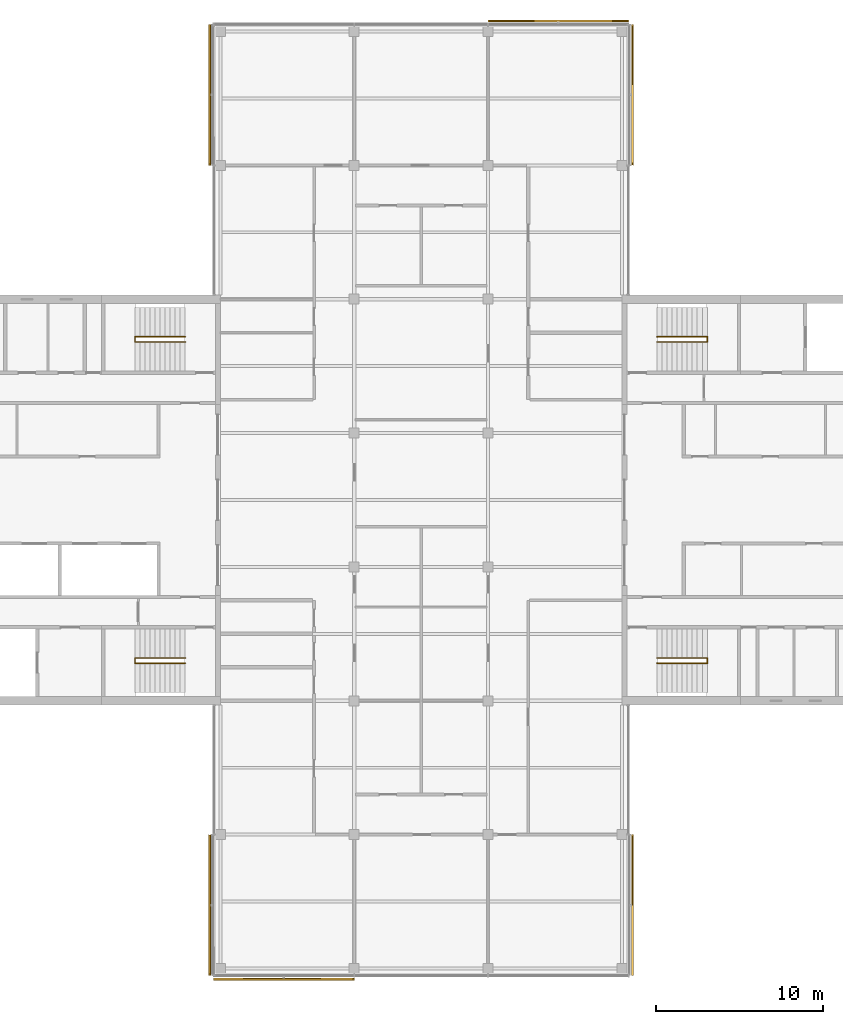
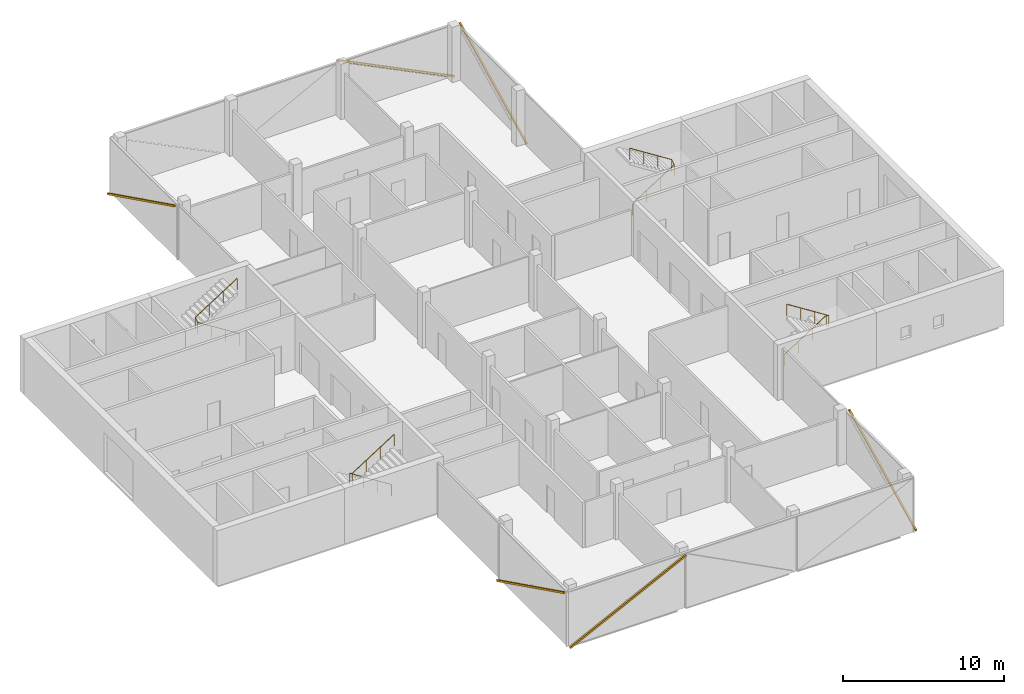
# One storey, part 16 of 16: 6 shading devices, 4 railings, 6 elements without a shape of their own.
"""IFC4 building model written with IfcOpenShell, lengths in metres."""

from ifc_helpers import new_model, si_unit, direction, frame, origin, origin_2d, place, context, subcontext, project, spatial, rectangle, circle, extrude, material, material_profile, profile_set, type_object, element, aggregate, save


model = new_model("IFC4")

# Units and contexts
model_context = context("Model", 3, precision=1e-05, world=origin(), true_north=direction((0.0, 1.0)))
body_context = subcontext(model_context, "Body", "Model", "MODEL_VIEW")
ifc_project = project(units=[si_unit("LENGTHUNIT", "METRE"), si_unit("AREAUNIT", "SQUARE_METRE"), si_unit("VOLUMEUNIT", "CUBIC_METRE"), si_unit("PLANEANGLEUNIT", "RADIAN"), si_unit("MASSUNIT", "GRAM", prefix="KILO")], contexts=[model_context])

# Site, building, storey
site_placement = place(None, origin())
site = spatial("IfcSite", under=ifc_project, at=site_placement, CompositionType="ELEMENT")
building_placement = place(site_placement, origin())
building = spatial("IfcBuilding", under=site, at=building_placement, Name="Crosswind Convention Tower", CompositionType="ELEMENT")
storey_placement = place(building_placement, frame((0.0, 0.0, 340.699951171875)))
storey = spatial("IfcBuildingStorey", under=building, at=storey_placement, Name="L74", CompositionType="ELEMENT", Elevation=340.699951171875)

# Railings
ifc_material_1 = material(Name="Stainless steel", Category="steel")
railing_type = type_object("IfcRailingType", Name="Stair handrail 900", PredefinedType="HANDRAIL", material=ifc_material_1)
railing_1_placement = place(storey_placement, frame((139.10009765625, 109.43994140625, 0.19091796875)))
element("IfcRailing", 1, at=railing_1_placement, inside=storey, type_object=railing_type, Name="Stair ST1 handrail L74", PredefinedType="HANDRAIL", context=body_context, shape_type="SweptSolid", body=[
    extrude(circle(Radius=0.02392578125, at=origin_2d()), frame((0.0, 0.0, 0.8759765625), z_axis=(0.843650179428, 0.0, 0.536893261973), x_axis=(0.0, 1.0, 0.0)), (0.0, 0.0, 1.0), 3.555908203125),
    extrude(circle(Radius=0.02392578125, at=origin_2d()), frame((3.0, 0.0, 2.78515625), z_axis=(0.0, 0.858819504967, 0.512278301208), x_axis=(-1.0, 0.0, 0.0)), (0.0, 0.0, 1.0), 0.372802734375),
    extrude(circle(Radius=0.02392578125, at=origin_2d()), frame((3.0, 0.320068359375, 2.97607421875), z_axis=(-0.843681277094, 0.0, 0.536844393359), x_axis=(0.0, -1.0, 0.0)), (0.0, 0.0, 1.0), 3.555908203125),
    extrude(circle(Radius=0.02099609375, at=origin_2d()), origin(), (0.0, 0.0, 1.0), 0.851806640625),
    extrude(circle(Radius=0.02099609375, at=origin_2d()), frame((1.0, 0.0, 0.636474609375)), (0.0, 0.0, 1.0), 0.851806640625),
    extrude(circle(Radius=0.02099609375, at=origin_2d()), frame((2.0, 0.0, 1.272705078125)), (0.0, 0.0, 1.0), 0.851806640625),
    extrude(circle(Radius=0.02099609375, at=origin_2d()), frame((3.0, 0.0, 1.9091796875)), (0.0, 0.0, 1.0), 0.851806640625),
    extrude(circle(Radius=0.02099609375, at=origin_2d()), frame((3.0, 0.320068359375, 2.10009765625)), (0.0, 0.0, 1.0), 0.851806640625),
    extrude(circle(Radius=0.02099609375, at=origin_2d()), frame((2.0, 0.320068359375, 2.736328125)), (0.0, 0.0, 1.0), 0.851806640625),
    extrude(circle(Radius=0.02099609375, at=origin_2d()), frame((1.0, 0.320068359375, 3.372802734375)), (0.0, 0.0, 1.0), 0.851806640625),
    extrude(circle(Radius=0.02099609375, at=origin_2d()), frame((0.0, 0.320068359375, 4.009033203125)), (0.0, 0.0, 1.0), 0.851806640625),
])
railing_2_placement = place(storey_placement, frame((139.10009765625, 90.56005859375, 0.19091796875)))
element("IfcRailing", 2, at=railing_2_placement, inside=storey, type_object=railing_type, Name="Stair ST2 handrail L74", PredefinedType="HANDRAIL", context=body_context, shape_type="SweptSolid", body=[
    extrude(circle(Radius=0.02392578125, at=origin_2d()), frame((0.0, 0.0, 0.8759765625), z_axis=(0.843650179428, 0.0, 0.536893261973), x_axis=(0.0, 1.0, 0.0)), (0.0, 0.0, 1.0), 3.555908203125),
    extrude(circle(Radius=0.02392578125, at=origin_2d()), frame((3.0, 0.0, 2.78515625), z_axis=(0.0, -0.858819504967, 0.512278301208), x_axis=(1.0, 0.0, 0.0)), (0.0, 0.0, 1.0), 0.372802734375),
    extrude(circle(Radius=0.02392578125, at=origin_2d()), frame((3.0, -0.320068359375, 2.97607421875), z_axis=(-0.843681277094, 0.0, 0.536844393359), x_axis=(0.0, -1.0, 0.0)), (0.0, 0.0, 1.0), 3.555908203125),
    extrude(circle(Radius=0.02099609375, at=origin_2d()), origin(), (0.0, 0.0, 1.0), 0.851806640625),
    extrude(circle(Radius=0.02099609375, at=origin_2d()), frame((1.0, 0.0, 0.636474609375)), (0.0, 0.0, 1.0), 0.851806640625),
    extrude(circle(Radius=0.02099609375, at=origin_2d()), frame((2.0, 0.0, 1.272705078125)), (0.0, 0.0, 1.0), 0.851806640625),
    extrude(circle(Radius=0.02099609375, at=origin_2d()), frame((3.0, 0.0, 1.9091796875)), (0.0, 0.0, 1.0), 0.851806640625),
    extrude(circle(Radius=0.02099609375, at=origin_2d()), frame((3.0, -0.320068359375, 2.10009765625)), (0.0, 0.0, 1.0), 0.851806640625),
    extrude(circle(Radius=0.02099609375, at=origin_2d()), frame((2.0, -0.320068359375, 2.736328125)), (0.0, 0.0, 1.0), 0.851806640625),
    extrude(circle(Radius=0.02099609375, at=origin_2d()), frame((1.0, -0.320068359375, 3.372802734375)), (0.0, 0.0, 1.0), 0.851806640625),
    extrude(circle(Radius=0.02099609375, at=origin_2d()), frame((0.0, -0.320068359375, 4.009033203125)), (0.0, 0.0, 1.0), 0.851806640625),
])
railing_3_placement = place(storey_placement, frame((110.89990234375, 90.56005859375, 0.19091796875)))
element("IfcRailing", 3, at=railing_3_placement, inside=storey, type_object=railing_type, Name="Stair ST3 handrail L74", PredefinedType="HANDRAIL", context=body_context, shape_type="SweptSolid", body=[
    extrude(circle(Radius=0.02392578125, at=origin_2d()), frame((0.0, 0.0, 0.8759765625), z_axis=(-0.843650179428, 0.0, 0.536893261973), x_axis=(0.0, -1.0, 0.0)), (0.0, 0.0, 1.0), 3.555908203125),
    extrude(circle(Radius=0.02392578125, at=origin_2d()), frame((-3.0, 0.0, 2.78515625), z_axis=(0.0, -0.858819504967, 0.512278301208), x_axis=(1.0, 0.0, 0.0)), (0.0, 0.0, 1.0), 0.372802734375),
    extrude(circle(Radius=0.02392578125, at=origin_2d()), frame((-3.0, -0.320068359375, 2.97607421875), z_axis=(0.843681277094, 0.0, 0.536844393359), x_axis=(0.0, 1.0, 0.0)), (0.0, 0.0, 1.0), 3.555908203125),
    extrude(circle(Radius=0.02099609375, at=origin_2d()), origin(), (0.0, 0.0, 1.0), 0.851806640625),
    extrude(circle(Radius=0.02099609375, at=origin_2d()), frame((-1.0, 0.0, 0.636474609375)), (0.0, 0.0, 1.0), 0.851806640625),
    extrude(circle(Radius=0.02099609375, at=origin_2d()), frame((-2.0, 0.0, 1.272705078125)), (0.0, 0.0, 1.0), 0.851806640625),
    extrude(circle(Radius=0.02099609375, at=origin_2d()), frame((-3.0, 0.0, 1.9091796875)), (0.0, 0.0, 1.0), 0.851806640625),
    extrude(circle(Radius=0.02099609375, at=origin_2d()), frame((-3.0, -0.320068359375, 2.10009765625)), (0.0, 0.0, 1.0), 0.851806640625),
    extrude(circle(Radius=0.02099609375, at=origin_2d()), frame((-2.0, -0.320068359375, 2.736328125)), (0.0, 0.0, 1.0), 0.851806640625),
    extrude(circle(Radius=0.02099609375, at=origin_2d()), frame((-1.0, -0.320068359375, 3.372802734375)), (0.0, 0.0, 1.0), 0.851806640625),
    extrude(circle(Radius=0.02099609375, at=origin_2d()), frame((0.0, -0.320068359375, 4.009033203125)), (0.0, 0.0, 1.0), 0.851806640625),
])
railing_4_placement = place(storey_placement, frame((110.89990234375, 109.43994140625, 0.19091796875)))
element("IfcRailing", 4, at=railing_4_placement, inside=storey, type_object=railing_type, Name="Stair ST4 handrail L74", PredefinedType="HANDRAIL", context=body_context, shape_type="SweptSolid", body=[
    extrude(circle(Radius=0.02392578125, at=origin_2d()), frame((0.0, 0.0, 0.8759765625), z_axis=(-0.843650179428, 0.0, 0.536893261973), x_axis=(0.0, -1.0, 0.0)), (0.0, 0.0, 1.0), 3.555908203125),
    extrude(circle(Radius=0.02392578125, at=origin_2d()), frame((-3.0, 0.0, 2.78515625), z_axis=(0.0, 0.858819504967, 0.512278301208), x_axis=(-1.0, 0.0, 0.0)), (0.0, 0.0, 1.0), 0.372802734375),
    extrude(circle(Radius=0.02392578125, at=origin_2d()), frame((-3.0, 0.320068359375, 2.97607421875), z_axis=(0.843681277094, 0.0, 0.536844393359), x_axis=(0.0, 1.0, 0.0)), (0.0, 0.0, 1.0), 3.555908203125),
    extrude(circle(Radius=0.02099609375, at=origin_2d()), origin(), (0.0, 0.0, 1.0), 0.851806640625),
    extrude(circle(Radius=0.02099609375, at=origin_2d()), frame((-1.0, 0.0, 0.636474609375)), (0.0, 0.0, 1.0), 0.851806640625),
    extrude(circle(Radius=0.02099609375, at=origin_2d()), frame((-2.0, 0.0, 1.272705078125)), (0.0, 0.0, 1.0), 0.851806640625),
    extrude(circle(Radius=0.02099609375, at=origin_2d()), frame((-3.0, 0.0, 1.9091796875)), (0.0, 0.0, 1.0), 0.851806640625),
    extrude(circle(Radius=0.02099609375, at=origin_2d()), frame((-3.0, 0.320068359375, 2.10009765625)), (0.0, 0.0, 1.0), 0.851806640625),
    extrude(circle(Radius=0.02099609375, at=origin_2d()), frame((-2.0, 0.320068359375, 2.736328125)), (0.0, 0.0, 1.0), 0.851806640625),
    extrude(circle(Radius=0.02099609375, at=origin_2d()), frame((-1.0, 0.320068359375, 3.372802734375)), (0.0, 0.0, 1.0), 0.851806640625),
    extrude(circle(Radius=0.02099609375, at=origin_2d()), frame((0.0, 0.320068359375, 4.009033203125)), (0.0, 0.0, 1.0), 0.851806640625),
])

# Curtain wall, shading device
ifc_material_2 = material(Name="Aluminium unitised curtain wall", Category="aluminium")
curtain_wall_type = type_object("IfcCurtainWallType", Name="OFFICE UNITISED WALL 220", PredefinedType="USERDEFINED", material=ifc_material_2)
curtain_wall_1_placement = place(storey_placement, origin())
curtain_wall_1 = element("IfcCurtainWall", 5, at=curtain_wall_1_placement, inside=storey, type_object=curtain_wall_type, Name="CW3 L74 N-E 1", ObjectType="UNITISED", PredefinedType="USERDEFINED")
ifc_material_3 = material(Name="Extruded terracotta", Category="masonry")
ifc_material_profile = material_profile(ifc_material_3, rectangle(XDim=0.110107421875, YDim=0.1298828125, at=origin_2d()), Name="TC 110X130")
ifc_profile_set = profile_set([ifc_material_profile], Name="Extruded terracotta")
shading_device_type = type_object("IfcShadingDeviceType", Name="TERRACOTTA BAGUETTE 130X110", PredefinedType="USERDEFINED", material=ifc_profile_set)
shading_device_1_placement = place(storey_placement, frame((137.631103515625, 120.034912109375, -0.300048828125), z_axis=(0.0, 0.896136229865, 0.443779063863), x_axis=(-1.0, 0.0, 0.0)))
shading_device_1 = element("IfcShadingDevice", 6, at=shading_device_1_placement, type_object=shading_device_type, Name="CW3 terracotta baguette 1", ObjectType="BAGUETTE", PredefinedType="USERDEFINED", context=body_context, shape_type="SweptSolid", body=[
    extrude(rectangle(XDim=0.110107421875, YDim=0.1298828125, at=origin_2d()), origin(), (0.0, 0.0, 1.0), 9.306640625),
])
aggregate(curtain_wall_1, [shading_device_1])

curtain_wall_2_placement = place(storey_placement, origin())
curtain_wall_2 = element("IfcCurtainWall", 7, at=curtain_wall_2_placement, inside=storey, type_object=curtain_wall_type, Name="CW3 L74 N-TIP 1", ObjectType="UNITISED", PredefinedType="USERDEFINED")
shading_device_2_placement = place(storey_placement, frame((137.375, 128.631103515625, -0.300048828125), z_axis=(-0.896136229865, 0.0, 0.443779063863), x_axis=(0.0, -1.0, 0.0)))
shading_device_2 = element("IfcShadingDevice", 8, at=shading_device_2_placement, type_object=shading_device_type, Name="CW3 terracotta baguette 1", ObjectType="BAGUETTE", PredefinedType="USERDEFINED", context=body_context, shape_type="SweptSolid", body=[
    extrude(rectangle(XDim=0.110107421875, YDim=0.1298828125, at=origin_2d()), origin(), (0.0, 0.0, 1.0), 9.306640625),
])
aggregate(curtain_wall_2, [shading_device_2])

curtain_wall_3_placement = place(storey_placement, origin())
curtain_wall_3 = element("IfcCurtainWall", 9, at=curtain_wall_3_placement, inside=storey, type_object=curtain_wall_type, Name="CW3 L74 N-W 1", ObjectType="UNITISED", PredefinedType="USERDEFINED")
shading_device_3_placement = place(storey_placement, frame((112.368896484375, 128.375, -0.300048828125), z_axis=(0.0, -0.896136229865, 0.443779063863), x_axis=(1.0, 0.0, 0.0)))
shading_device_3 = element("IfcShadingDevice", 10, at=shading_device_3_placement, type_object=shading_device_type, Name="CW3 terracotta baguette 1", ObjectType="BAGUETTE", PredefinedType="USERDEFINED", context=body_context, shape_type="SweptSolid", body=[
    extrude(rectangle(XDim=0.110107421875, YDim=0.1298828125, at=origin_2d()), origin(), (0.0, 0.0, 1.0), 9.306640625),
])
aggregate(curtain_wall_3, [shading_device_3])

curtain_wall_4_placement = place(storey_placement, origin())
curtain_wall_4 = element("IfcCurtainWall", 11, at=curtain_wall_4_placement, inside=storey, type_object=curtain_wall_type, Name="CW3 L74 S-W 1", ObjectType="UNITISED", PredefinedType="USERDEFINED")
shading_device_4_placement = place(storey_placement, frame((112.368896484375, 79.965087890625, -0.300048828125), z_axis=(0.0, -0.896136229865, 0.443779063863), x_axis=(1.0, 0.0, 0.0)))
shading_device_4 = element("IfcShadingDevice", 12, at=shading_device_4_placement, type_object=shading_device_type, Name="CW3 terracotta baguette 1", ObjectType="BAGUETTE", PredefinedType="USERDEFINED", context=body_context, shape_type="SweptSolid", body=[
    extrude(rectangle(XDim=0.110107421875, YDim=0.1298828125, at=origin_2d()), origin(), (0.0, 0.0, 1.0), 9.306640625),
])
aggregate(curtain_wall_4, [shading_device_4])

curtain_wall_5_placement = place(storey_placement, origin())
curtain_wall_5 = element("IfcCurtainWall", 13, at=curtain_wall_5_placement, inside=storey, type_object=curtain_wall_type, Name="CW3 L74 S-TIP 1", ObjectType="UNITISED", PredefinedType="USERDEFINED")
shading_device_5_placement = place(storey_placement, frame((112.625, 71.368896484375, -0.300048828125), z_axis=(0.896136229865, 0.0, 0.443779063863), x_axis=(0.0, 1.0, 0.0)))
shading_device_5 = element("IfcShadingDevice", 14, at=shading_device_5_placement, type_object=shading_device_type, Name="CW3 terracotta baguette 1", ObjectType="BAGUETTE", PredefinedType="USERDEFINED", context=body_context, shape_type="SweptSolid", body=[
    extrude(rectangle(XDim=0.110107421875, YDim=0.1298828125, at=origin_2d()), origin(), (0.0, 0.0, 1.0), 9.306640625),
])
aggregate(curtain_wall_5, [shading_device_5])

curtain_wall_6_placement = place(storey_placement, origin())
curtain_wall_6 = element("IfcCurtainWall", 15, at=curtain_wall_6_placement, inside=storey, type_object=curtain_wall_type, Name="CW3 L74 S-E 1", ObjectType="UNITISED", PredefinedType="USERDEFINED")
shading_device_6_placement = place(storey_placement, frame((137.631103515625, 71.625, -0.300048828125), z_axis=(0.0, 0.896136229865, 0.443779063863), x_axis=(-1.0, 0.0, 0.0)))
shading_device_6 = element("IfcShadingDevice", 16, at=shading_device_6_placement, type_object=shading_device_type, Name="CW3 terracotta baguette 1", ObjectType="BAGUETTE", PredefinedType="USERDEFINED", context=body_context, shape_type="SweptSolid", body=[
    extrude(rectangle(XDim=0.110107421875, YDim=0.1298828125, at=origin_2d()), origin(), (0.0, 0.0, 1.0), 9.306640625),
])
aggregate(curtain_wall_6, [shading_device_6])

save(model, "model.ifc")
